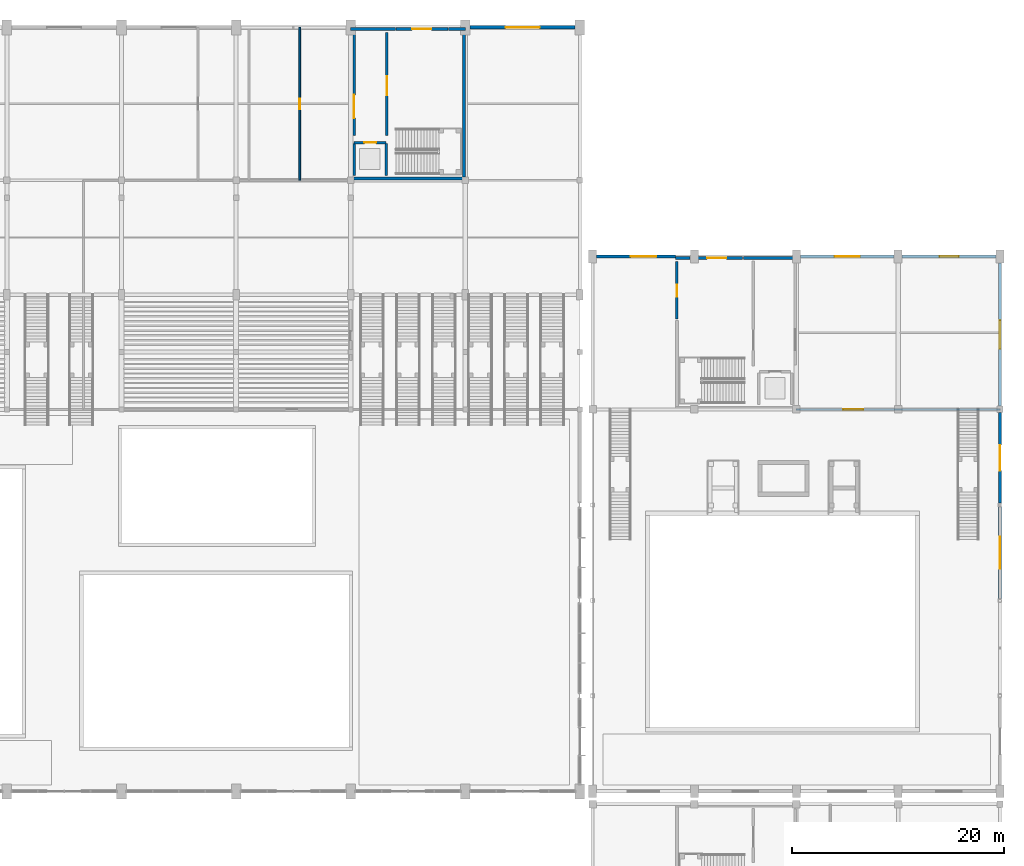
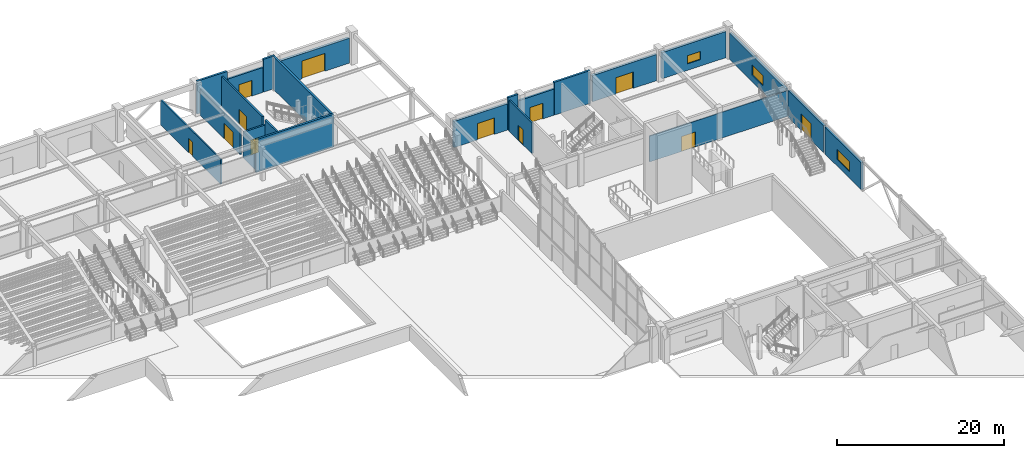
# One storey, part 60 of 82: 23 walls, 12 doors, 3 windows, 15 openings.
"""IFC4 building model written with IfcOpenShell, lengths in metres."""

from ifc_helpers import new_model, si_unit, direction, frame, frame_2d, origin, place, context, subcontext, project, spatial, rectangle, extrude, material, layer, layer_set, type_object, element, fill, save


model = new_model("IFC4")

# Units and contexts
model_context = context("Model", 3, precision=1e-05, world=origin(), true_north=direction((0.0, 1.0)))
body_context = subcontext(model_context, "Body", "Model", "MODEL_VIEW")
ifc_project = project(units=[si_unit("LENGTHUNIT", "METRE"), si_unit("AREAUNIT", "SQUARE_METRE"), si_unit("VOLUMEUNIT", "CUBIC_METRE"), si_unit("PLANEANGLEUNIT", "RADIAN"), si_unit("MASSUNIT", "GRAM", prefix="KILO")], contexts=[model_context])

# Site, building, storey
site_placement = place(None, origin())
site = spatial("IfcSite", under=ifc_project, at=site_placement, CompositionType="ELEMENT")
building_placement = place(site_placement, origin())
building = spatial("IfcBuilding", under=site, at=building_placement, Name="Suirenkawa Promenade Aquatics Centre", CompositionType="ELEMENT")
storey_placement = place(building_placement, origin())
storey = spatial("IfcBuildingStorey", under=building, at=storey_placement, Name="L00", CompositionType="ELEMENT", Elevation=0.0)

# Walls
ifc_material_1 = material(Name="Concrete M40", Category="concrete")
ifc_layer_1 = layer(ifc_material_1, 0.280029296875, Name="Concrete M40", Category="concrete")
ifc_layer_set_1 = layer_set([ifc_layer_1], Name="Concrete M40")
wall_type_1 = type_object("IfcWallType", Name="WT-CORE-280", PredefinedType="SHEAR", material=ifc_layer_set_1)
wall_1_placement = place(storey_placement, frame((133.199951171875, 108.139892578125, 0.0), z_axis=(0.0, 0.0, 1.0), x_axis=(1.0, 0.0, 0.0)))
element("IfcWall", 1, at=wall_1_placement, inside=storey, type_object=wall_type_1, Name="C4 south core wall WL-CORE-02 W-0126", PredefinedType="SHEAR", context=body_context, shape_type="SweptSolid", body=[
    extrude(rectangle(XDim=10.800048828125, YDim=0.280029296875, at=frame_2d((5.39990234375, 0.0))), origin(), (0.0, 0.0, 1.0), 4.800048828125),
])
wall_2_placement = place(storey_placement, frame((133.199951171875, 122.260009765625, 0.0), z_axis=(0.0, 0.0, 1.0), x_axis=(1.0, 0.0, 0.0)))
element("IfcWall", 2, at=wall_2_placement, inside=storey, type_object=wall_type_1, Name="C4 north-west core wall WL-CORE-02 W-0127", PredefinedType="SHEAR", context=body_context, shape_type="SweptSolid", body=[
    extrude(rectangle(XDim=4.199951171875, YDim=0.280029296875, at=frame_2d((2.10009765625, 0.0))), origin(), (0.0, 0.0, 1.0), 4.800048828125),
])
wall_3_placement = place(storey_placement, frame((142.39990234375, 122.260009765625, 0.0), z_axis=(0.0, 0.0, 1.0), x_axis=(1.0, 0.0, 0.0)))
element("IfcWall", 3, at=wall_3_placement, inside=storey, type_object=wall_type_1, Name="C4 north-east core wall WL-CORE-02 W-0128", PredefinedType="SHEAR", context=body_context, shape_type="SweptSolid", body=[
    extrude(rectangle(XDim=1.60009765625, YDim=0.280029296875, at=frame_2d((0.800048828125, 0.0))), origin(), (0.0, 0.0, 1.0), 4.800048828125),
])
wall_4_placement = place(storey_placement, frame((143.860107421875, 108.280029296875, 0.0), z_axis=(0.0, 0.0, 1.0), x_axis=(0.0, 1.0, 0.0)))
element("IfcWall", 4, at=wall_4_placement, inside=storey, type_object=wall_type_1, Name="C4 east core wall WL-CORE-02 W-0129", PredefinedType="SHEAR", context=body_context, shape_type="SweptSolid", body=[
    extrude(rectangle(XDim=13.840087890625, YDim=0.280029296875, at=frame_2d((6.919921875, 0.0))), origin(), (0.0, 0.0, 1.0), 4.800048828125),
])
wall_5_placement = place(storey_placement, frame((163.800048828125, 100.659912109375, 0.0), z_axis=(0.0, 0.0, 1.0), x_axis=(1.0, 0.0, 0.0)))
element("IfcWall", 5, at=wall_5_placement, inside=storey, type_object=wall_type_1, Name="C5 north-west core wall WL-CORE-02 W-0140", PredefinedType="SHEAR", context=body_context, shape_type="SweptSolid", body=[
    extrude(rectangle(XDim=1.39990234375, YDim=0.280029296875, at=frame_2d((0.699951171875, 0.0))), origin(), (0.0, 0.0, 1.0), 4.800048828125),
])
wall_6_placement = place(storey_placement, frame((170.199951171875, 100.659912109375, 0.0), z_axis=(0.0, 0.0, 1.0), x_axis=(1.0, 0.0, 0.0)))
element("IfcWall", 6, at=wall_6_placement, inside=storey, type_object=wall_type_1, Name="C5 north-east core wall WL-CORE-02 W-0141", PredefinedType="SHEAR", context=body_context, shape_type="SweptSolid", body=[
    extrude(rectangle(XDim=5.0, YDim=0.280029296875, at=frame_2d((2.5, 0.0))), origin(), (0.0, 0.0, 1.0), 4.800048828125),
])

# Wall, opening, door
ifc_layer_2 = layer(ifc_material_1, 0.27001953125, Name="Concrete M40", Category="concrete")
ifc_layer_set_2 = layer_set([ifc_layer_2], Name="Concrete M40")
wall_type_2 = type_object("IfcWallType", Name="WT-EXT-270", PredefinedType="SOLIDWALL", material=ifc_layer_set_2)
wall_7_placement = place(storey_placement, frame((137.449951171875, 122.239990234375, 0.0), z_axis=(0.0, 0.0, 1.0), x_axis=(1.0, 0.0, 0.0)))
wall_7 = element("IfcWall", 7, at=wall_7_placement, inside=storey, type_object=wall_type_2, Name="Exterior wall WL-EXT-04 W-5134", PredefinedType="SOLIDWALL", context=body_context, shape_type="SweptSolid", body=[
    extrude(rectangle(XDim=4.900146484375, YDim=0.27001953125, at=frame_2d((2.4501953125, 0.0))), origin(), (0.0, 0.0, 1.0), 3.655029296875),
])
opening_1_placement = place(wall_7_placement, frame((1.550048828125, 0.0, 0.0)))
opening_1 = element("IfcOpeningElement", 8, at=opening_1_placement, cuts=wall_7, Name="Opening ED-07", PredefinedType="OPENING", context=body_context, shape_type="SweptSolid", body=[
    extrude(rectangle(XDim=1.800048828125, YDim=2.300048828125, at=frame_2d((0.89990234375, 1.14990234375))), frame((0.0, 0.14501953125, 0.0), z_axis=(0.0, -1.0, 0.0), x_axis=(1.0, 0.0, 0.0)), (0.0, 0.0, 1.0), 0.2900390625),
])
ifc_material_2 = material(Name="Anodised aluminium 6063-T6", Category="aluminium")
door_type_1 = type_object("IfcDoorType", Name="DT-EXT-TERR-1800x2300", OperationType="DOUBLE_DOOR_SINGLE_SWING", PredefinedType="DOOR", material=ifc_material_2)
door_1_placement = place(opening_1_placement, origin())
door_1 = element("IfcDoor", 9, at=door_1_placement, inside=storey, type_object=door_type_1, Name="Exterior door ED-07 DR-EXT-056", OperationType="DOUBLE_DOOR_SINGLE_SWING", OverallHeight=2.300048828125, OverallWidth=1.800048828125, PredefinedType="DOOR", context=body_context, shape_type="SweptSolid", body=[
    extrude(rectangle(XDim=1.800048828125, YDim=2.300048828125, at=frame_2d((0.89990234375, 1.14990234375))), frame((0.0, 0.02490234375, 0.0), z_axis=(0.0, -1.0, 0.0), x_axis=(1.0, 0.0, 0.0)), (0.0, 0.0, 1.0), 0.050048828125),
])
fill(opening_1, door_1)

wall_8_placement = place(storey_placement, frame((165.25, 100.659912109375, 0.0), z_axis=(0.0, 0.0, 1.0), x_axis=(1.0, 0.0, 0.0)))
wall_8 = element("IfcWall", 10, at=wall_8_placement, inside=storey, type_object=wall_type_2, Name="Exterior wall WL-EXT-04 W-5135", PredefinedType="SOLIDWALL", context=body_context, shape_type="SweptSolid", body=[
    extrude(rectangle(XDim=4.89990234375, YDim=0.27001953125, at=frame_2d((2.449951171875, 0.0))), origin(), (0.0, 0.0, 1.0), 3.8349609375),
])
opening_2_placement = place(wall_8_placement, frame((1.550048828125, 0.0, 0.0)))
opening_2 = element("IfcOpeningElement", 11, at=opening_2_placement, cuts=wall_8, Name="Opening ED-07", PredefinedType="OPENING", context=body_context, shape_type="SweptSolid", body=[
    extrude(rectangle(XDim=1.800048828125, YDim=2.300048828125, at=frame_2d((0.89990234375, 1.14990234375))), frame((0.0, 0.14501953125, 0.0), z_axis=(0.0, -1.0, 0.0), x_axis=(1.0, 0.0, 0.0)), (0.0, 0.0, 1.0), 0.2900390625),
])
door_2_placement = place(opening_2_placement, origin())
door_2 = element("IfcDoor", 12, at=door_2_placement, inside=storey, type_object=door_type_1, Name="Exterior door ED-07 DR-EXT-057", OperationType="DOUBLE_DOOR_SINGLE_SWING", OverallHeight=2.300048828125, OverallWidth=1.800048828125, PredefinedType="DOOR", context=body_context, shape_type="SweptSolid", body=[
    extrude(rectangle(XDim=1.800048828125, YDim=2.300048828125, at=frame_2d((0.89990234375, 1.14990234375))), frame((0.0, 0.02490234375, 0.0), z_axis=(0.0, -1.0, 0.0), x_axis=(1.0, 0.0, 0.0)), (0.0, 0.0, 1.0), 0.050048828125),
])
fill(opening_2, door_2)

ifc_layer_3 = layer(ifc_material_1, 0.31005859375, Name="Concrete M40", Category="concrete")
ifc_layer_set_3 = layer_set([ifc_layer_3], Name="Concrete M40")
wall_type_3 = type_object("IfcWallType", Name="WT-EXT-310", PredefinedType="SOLIDWALL", material=ifc_layer_set_3)
wall_9_placement = place(storey_placement, frame((156.3798828125, 100.800048828125, 0.0), z_axis=(0.0, 0.0, 1.0), x_axis=(1.0, 0.0, 0.0)))
wall_9 = element("IfcWall", 13, at=wall_9_placement, inside=storey, type_object=wall_type_3, Name="Exterior wall WL-EXT-02 W-5027", PredefinedType="SOLIDWALL", context=body_context, shape_type="SweptSolid", body=[
    extrude(rectangle(XDim=7.4150390625, YDim=0.31005859375, at=frame_2d((3.70751953125, 0.0))), origin(), (0.0, 0.0, 1.0), 3.8349609375),
])
opening_3_placement = place(wall_9_placement, frame((3.219970703125, 0.0, 0.0)))
opening_3 = element("IfcOpeningElement", 14, at=opening_3_placement, cuts=wall_9, Name="Opening ED-04", PredefinedType="OPENING", context=body_context, shape_type="SweptSolid", body=[
    extrude(rectangle(XDim=2.39990234375, YDim=2.39990234375, at=frame_2d((1.199951171875, 1.199951171875))), frame((0.0, 0.1650390625, 0.0), z_axis=(0.0, -1.0, 0.0), x_axis=(1.0, 0.0, 0.0)), (0.0, 0.0, 1.0), 0.330078125),
])
door_type_2 = type_object("IfcDoorType", Name="DT-EXT-EXIT-2400x2400", OperationType="DOUBLE_DOOR_SINGLE_SWING", PredefinedType="DOOR", material=ifc_material_2)
door_3_placement = place(opening_3_placement, origin())
door_3 = element("IfcDoor", 15, at=door_3_placement, inside=storey, type_object=door_type_2, Name="Exterior door ED-04 DR-EXT-018", OperationType="DOUBLE_DOOR_SINGLE_SWING", OverallHeight=2.39990234375, OverallWidth=2.39990234375, PredefinedType="DOOR", context=body_context, shape_type="SweptSolid", body=[
    extrude(rectangle(XDim=2.39990234375, YDim=2.39990234375, at=frame_2d((1.199951171875, 1.199951171875))), frame((0.0, 0.02490234375, 0.0), z_axis=(0.0, -1.0, 0.0), x_axis=(1.0, 0.0, 0.0)), (0.0, 0.0, 1.0), 0.050048828125),
])
fill(opening_3, door_3)

wall_10_placement = place(storey_placement, frame((175.580078125, 100.800048828125, 0.0), z_axis=(0.0, 0.0, 1.0), x_axis=(1.0, 0.0, 0.0)))
wall_10 = element("IfcWall", 16, at=wall_10_placement, inside=storey, type_object=wall_type_3, Name="Exterior wall WL-EXT-02 W-5032", PredefinedType="SOLIDWALL", context=body_context, shape_type="SweptSolid", body=[
    extrude(rectangle(XDim=8.83984375, YDim=0.31005859375, at=frame_2d((4.419921875, 0.0))), origin(), (0.0, 0.0, 1.0), 3.8349609375),
])
opening_4_placement = place(wall_10_placement, frame((3.219970703125, 0.0, 0.0)))
opening_4 = element("IfcOpeningElement", 17, at=opening_4_placement, cuts=wall_10, Name="Opening ED-04", PredefinedType="OPENING", context=body_context, shape_type="SweptSolid", body=[
    extrude(rectangle(XDim=2.39990234375, YDim=2.39990234375, at=frame_2d((1.199951171875, 1.199951171875))), frame((0.0, 0.1650390625, 0.0), z_axis=(0.0, -1.0, 0.0), x_axis=(1.0, 0.0, 0.0)), (0.0, 0.0, 1.0), 0.330078125),
])
door_4_placement = place(opening_4_placement, origin())
door_4 = element("IfcDoor", 18, at=door_4_placement, inside=storey, type_object=door_type_2, Name="Exterior door ED-04 DR-EXT-020", OperationType="DOUBLE_DOOR_SINGLE_SWING", OverallHeight=2.39990234375, OverallWidth=2.39990234375, PredefinedType="DOOR", context=body_context, shape_type="SweptSolid", body=[
    extrude(rectangle(XDim=2.39990234375, YDim=2.39990234375, at=frame_2d((1.199951171875, 1.199951171875))), frame((0.0, 0.02490234375, 0.0), z_axis=(0.0, -1.0, 0.0), x_axis=(1.0, 0.0, 0.0)), (0.0, 0.0, 1.0), 0.050048828125),
])
fill(opening_4, door_4)

# Wall, opening, window
wall_11_placement = place(storey_placement, frame((185.179931640625, 100.800048828125, 0.0), z_axis=(0.0, 0.0, 1.0), x_axis=(1.0, 0.0, 0.0)))
wall_11 = element("IfcWall", 19, at=wall_11_placement, inside=storey, type_object=wall_type_3, Name="Exterior wall WL-EXT-02 W-5035", PredefinedType="SOLIDWALL", context=body_context, shape_type="SweptSolid", body=[
    extrude(rectangle(XDim=8.840087890625, YDim=0.31005859375, at=frame_2d((4.419921875, 0.0))), origin(), (0.0, 0.0, 1.0), 3.8349609375),
])
opening_5_placement = place(wall_11_placement, frame((3.52001953125, 0.0, 0.949951171875)))
opening_5 = element("IfcOpeningElement", 20, at=opening_5_placement, cuts=wall_11, Name="Opening WN-08", PredefinedType="OPENING", context=body_context, shape_type="SweptSolid", body=[
    extrude(rectangle(XDim=1.800048828125, YDim=1.199951171875, at=frame_2d((0.89990234375, 0.60009765625))), frame((0.0, 0.1650390625, 0.0), z_axis=(0.0, -1.0, 0.0), x_axis=(1.0, 0.0, 0.0)), (0.0, 0.0, 1.0), 0.330078125),
])
ifc_material_3 = material(Name="Low-E thermally broken double glazing", Category="glass")
window_type_1 = type_object("IfcWindowType", Name="WNT-CLER-1800x1200", PartitioningType="SINGLE_PANEL", PredefinedType="WINDOW", material=ifc_material_3)
window_1_placement = place(opening_5_placement, origin())
window_1 = element("IfcWindow", 21, at=window_1_placement, inside=storey, type_object=window_type_1, Name="Window WN-08 WN-0008", OverallHeight=1.199951171875, OverallWidth=1.800048828125, PartitioningType="SINGLE_PANEL", PredefinedType="WINDOW", context=body_context, shape_type="SweptSolid", body=[
    extrude(rectangle(XDim=1.800048828125, YDim=1.199951171875, at=frame_2d((0.89990234375, 0.60009765625))), frame((0.0, 0.030029296875, 0.0), z_axis=(0.0, -1.0, 0.0), x_axis=(1.0, 0.0, 0.0)), (0.0, 0.0, 1.0), 0.06005859375),
])
fill(opening_5, window_1)

wall_12_placement = place(storey_placement, frame((194.39990234375, 77.219970703125, 0.0), z_axis=(0.0, 0.0, 1.0), x_axis=(0.0, -1.0, 0.0)))
wall_12 = element("IfcWall", 22, at=wall_12_placement, inside=storey, type_object=wall_type_3, Name="Exterior wall WL-EXT-02 W-5037", PredefinedType="SOLIDWALL", context=body_context, shape_type="SweptSolid", body=[
    extrude(rectangle(XDim=8.639892578125, YDim=0.31005859375, at=frame_2d((4.31982421875, 0.0))), origin(), (0.0, 0.0, 1.0), 3.949951171875),
])
opening_6_placement = place(wall_12_placement, frame((2.820068359375, 0.0, 0.949951171875)))
opening_6 = element("IfcOpeningElement", 23, at=opening_6_placement, cuts=wall_12, Name="Opening WN-09", PredefinedType="OPENING", context=body_context, shape_type="SweptSolid", body=[
    extrude(rectangle(XDim=3.0, YDim=1.5, at=frame_2d((1.5, 0.75))), frame((0.0, 0.1650390625, 0.0), z_axis=(0.0, -1.0, 0.0), x_axis=(1.0, 0.0, 0.0)), (0.0, 0.0, 1.0), 0.330078125),
])
window_type_2 = type_object("IfcWindowType", Name="WNT-STD-3000x1500", PartitioningType="SINGLE_PANEL", PredefinedType="WINDOW", material=ifc_material_3)
window_2_placement = place(opening_6_placement, origin())
window_2 = element("IfcWindow", 24, at=window_2_placement, inside=storey, type_object=window_type_2, Name="Window WN-09 WN-0009", OverallHeight=1.5, OverallWidth=3.0, PartitioningType="SINGLE_PANEL", PredefinedType="WINDOW", context=body_context, shape_type="SweptSolid", body=[
    extrude(rectangle(XDim=3.0, YDim=1.5, at=frame_2d((1.5, 0.75))), frame((0.0, 0.030029296875, 0.0), z_axis=(0.0, -1.0, 0.0), x_axis=(1.0, 0.0, 0.0)), (0.0, 0.0, 1.0), 0.06005859375),
])
fill(opening_6, window_2)

# Wall, opening, door
wall_13_placement = place(storey_placement, frame((194.39990234375, 86.094970703125, 0.0), z_axis=(0.0, 0.0, 1.0), x_axis=(0.0, -1.0, 0.0)))
wall_13 = element("IfcWall", 25, at=wall_13_placement, inside=storey, type_object=wall_type_3, Name="Exterior wall WL-EXT-02 W-5038", PredefinedType="SOLIDWALL", context=body_context, shape_type="SweptSolid", body=[
    extrude(rectangle(XDim=8.514892578125, YDim=0.31005859375, at=frame_2d((4.25732421875, 0.0))), origin(), (0.0, 0.0, 1.0), 3.949951171875),
])
opening_7_placement = place(wall_13_placement, frame((3.05810546875, 0.0, 0.0)))
opening_7 = element("IfcOpeningElement", 26, at=opening_7_placement, cuts=wall_13, Name="Opening ED-04", PredefinedType="OPENING", context=body_context, shape_type="SweptSolid", body=[
    extrude(rectangle(XDim=2.39990234375, YDim=2.39990234375, at=frame_2d((1.199951171875, 1.199951171875))), frame((0.0, 0.1650390625, 0.0), z_axis=(0.0, -1.0, 0.0), x_axis=(1.0, 0.0, 0.0)), (0.0, 0.0, 1.0), 0.330078125),
])
door_5_placement = place(opening_7_placement, origin())
door_5 = element("IfcDoor", 27, at=door_5_placement, inside=storey, type_object=door_type_2, Name="Exterior door ED-04 DR-EXT-023", OperationType="DOUBLE_DOOR_SINGLE_SWING", OverallHeight=2.39990234375, OverallWidth=2.39990234375, PredefinedType="DOOR", context=body_context, shape_type="SweptSolid", body=[
    extrude(rectangle(XDim=2.39990234375, YDim=2.39990234375, at=frame_2d((1.199951171875, 1.199951171875))), frame((0.0, 0.02490234375, 0.0), z_axis=(0.0, -1.0, 0.0), x_axis=(1.0, 0.0, 0.0)), (0.0, 0.0, 1.0), 0.050048828125),
])
fill(opening_7, door_5)

# Wall, opening, window
wall_14_placement = place(storey_placement, frame((194.39990234375, 100.195068359375, 0.0), z_axis=(0.0, 0.0, 1.0), x_axis=(0.0, -1.0, 0.0)))
wall_14 = element("IfcWall", 28, at=wall_14_placement, inside=storey, type_object=wall_type_3, Name="Exterior wall WL-EXT-02 W-5039", PredefinedType="SOLIDWALL", context=body_context, shape_type="SweptSolid", body=[
    extrude(rectangle(XDim=13.489990234375, YDim=0.31005859375, at=frame_2d((6.7451171875, 0.0))), origin(), (0.0, 0.0, 1.0), 3.8349609375),
])
opening_8_placement = place(wall_14_placement, frame((5.39501953125, 0.0, 0.949951171875)))
opening_8 = element("IfcOpeningElement", 29, at=opening_8_placement, cuts=wall_14, Name="Opening WN-10", PredefinedType="OPENING", context=body_context, shape_type="SweptSolid", body=[
    extrude(rectangle(XDim=2.699951171875, YDim=1.5, at=frame_2d((1.35009765625, 0.75))), frame((0.0, 0.1650390625, 0.0), z_axis=(0.0, -1.0, 0.0), x_axis=(1.0, 0.0, 0.0)), (0.0, 0.0, 1.0), 0.330078125),
])
window_type_3 = type_object("IfcWindowType", Name="WNT-STD-2700x1500", PartitioningType="SINGLE_PANEL", PredefinedType="WINDOW", material=ifc_material_3)
window_3_placement = place(opening_8_placement, origin())
window_3 = element("IfcWindow", 30, at=window_3_placement, inside=storey, type_object=window_type_3, Name="Window WN-10 WN-0010", OverallHeight=1.5, OverallWidth=2.699951171875, PartitioningType="SINGLE_PANEL", PredefinedType="WINDOW", context=body_context, shape_type="SweptSolid", body=[
    extrude(rectangle(XDim=2.699951171875, YDim=1.5, at=frame_2d((1.35009765625, 0.75))), frame((0.0, 0.030029296875, 0.0), z_axis=(0.0, -1.0, 0.0), x_axis=(1.0, 0.0, 0.0)), (0.0, 0.0, 1.0), 0.06005859375),
])
fill(opening_8, window_3)

# Wall, opening, door
ifc_layer_4 = layer(ifc_material_1, 0.340087890625, Name="Concrete M40", Category="concrete")
ifc_layer_set_4 = layer_set([ifc_layer_4], Name="Concrete M40")
wall_type_4 = type_object("IfcWallType", Name="WT-EXT-340", PredefinedType="SOLIDWALL", material=ifc_layer_set_4)
wall_15_placement = place(storey_placement, frame((144.455078125, 122.39990234375, 0.0), z_axis=(0.0, 0.0, 1.0), x_axis=(1.0, 0.0, 0.0)))
wall_15 = element("IfcWall", 31, at=wall_15_placement, inside=storey, type_object=wall_type_4, Name="Exterior wall WL-EXT-01 W-5016", PredefinedType="SOLIDWALL", context=body_context, shape_type="SweptSolid", body=[
    extrude(rectangle(XDim=9.889892578125, YDim=0.340087890625, at=frame_2d((4.94482421875, 0.0))), origin(), (0.0, 0.0, 1.0), 3.655029296875),
])
opening_9_placement = place(wall_15_placement, frame((3.344970703125, 0.0, 0.0)))
opening_9 = element("IfcOpeningElement", 32, at=opening_9_placement, cuts=wall_15, Name="Opening ED-02", PredefinedType="OPENING", context=body_context, shape_type="SweptSolid", body=[
    extrude(rectangle(XDim=3.199951171875, YDim=2.60009765625, at=frame_2d((1.60009765625, 1.300048828125))), frame((0.0, 0.179931640625, 0.0), z_axis=(0.0, -1.0, 0.0), x_axis=(1.0, 0.0, 0.0)), (0.0, 0.0, 1.0), 0.360107421875),
])
door_type_3 = type_object("IfcDoorType", Name="DT-EXT-CONC-3200x2600", OperationType="DOUBLE_DOOR_SINGLE_SWING", PredefinedType="DOOR", material=ifc_material_2)
door_6_placement = place(opening_9_placement, origin())
door_6 = element("IfcDoor", 33, at=door_6_placement, inside=storey, type_object=door_type_3, Name="Exterior door ED-02 DR-EXT-013", OperationType="DOUBLE_DOOR_SINGLE_SWING", OverallHeight=2.60009765625, OverallWidth=3.199951171875, PredefinedType="DOOR", context=body_context, shape_type="SweptSolid", body=[
    extrude(rectangle(XDim=3.199951171875, YDim=2.60009765625, at=frame_2d((1.60009765625, 1.300048828125))), frame((0.0, 0.02490234375, 0.0), z_axis=(0.0, -1.0, 0.0), x_axis=(1.0, 0.0, 0.0)), (0.0, 0.0, 1.0), 0.050048828125),
])
fill(opening_9, door_6)

ifc_material_4 = material(Name="Autoclaved aerated concrete blockwork Grade 1", Category="masonry")
ifc_layer_5 = layer(ifc_material_4, 0.179931640625, Name="Autoclaved aerated concrete blockwork Grade 1", Category="masonry")
ifc_layer_set_5 = layer_set([ifc_layer_5], Name="Autoclaved aerated concrete blockwork Grade 1")
wall_type_5 = type_object("IfcWallType", Name="WT-FIRE-180", PredefinedType="PARTITIONING", material=ifc_layer_set_5)
wall_16_placement = place(storey_placement, frame((128.39990234375, 108.0, 0.0), z_axis=(0.0, 0.0, 1.0), x_axis=(0.0, 1.0, 0.0)))
wall_16 = element("IfcWall", 34, at=wall_16_placement, inside=storey, type_object=wall_type_5, Name="Interior wall WL-PRT-02 W-7323", PredefinedType="PARTITIONING", context=body_context, shape_type="SweptSolid", body=[
    extrude(rectangle(XDim=14.39990234375, YDim=0.179931640625, at=frame_2d((7.199951171875, 0.0))), origin(), (0.0, 0.0, 1.0), 3.655029296875),
])
opening_10_placement = place(wall_16_placement, frame((6.699951171875, 0.0, 0.0)))
opening_10 = element("IfcOpeningElement", 35, at=opening_10_placement, cuts=wall_16, Name="Opening ID-07", PredefinedType="OPENING", context=body_context, shape_type="SweptSolid", body=[
    extrude(rectangle(XDim=1.0, YDim=2.10009765625, at=frame_2d((0.5, 1.050048828125))), frame((0.0, 0.099853515625, 0.0), z_axis=(0.0, -1.0, 0.0), x_axis=(1.0, 0.0, 0.0)), (0.0, 0.0, 1.0), 0.199951171875),
])
ifc_material_5 = material(Name="Engineered maple acoustic sports timber", Category="wood")
door_type_4 = type_object("IfcDoorType", Name="DT-FD60-1000x2100", OperationType="NOTDEFINED", PredefinedType="DOOR", material=ifc_material_5)
door_7_placement = place(opening_10_placement, origin())
door_7 = element("IfcDoor", 36, at=door_7_placement, inside=storey, type_object=door_type_4, Name="Interior door ID-07 DR-INT-0188", OperationType="SINGLE_SWING_LEFT", OverallHeight=2.10009765625, OverallWidth=1.0, PredefinedType="DOOR", context=body_context, shape_type="SweptSolid", body=[
    extrude(rectangle(XDim=1.0, YDim=2.10009765625, at=frame_2d((0.5, 1.050048828125))), frame((0.0, 0.02490234375, 0.0), z_axis=(0.0, -1.0, 0.0), x_axis=(1.0, 0.0, 0.0)), (0.0, 0.0, 1.0), 0.050048828125),
])
fill(opening_10, door_7)

ifc_material_6 = material(Name="Concrete M35", Category="concrete")
ifc_layer_6 = layer(ifc_material_6, 0.219970703125, Name="Concrete M35", Category="concrete")
ifc_layer_set_6 = layer_set([ifc_layer_6], Name="Concrete M35")
wall_type_6 = type_object("IfcWallType", Name="WT-LOBBY-220", PredefinedType="PARTITIONING", material=ifc_layer_set_6)
wall_17_placement = place(storey_placement, frame((136.60009765625, 112.199951171875, 0.0), z_axis=(0.0, 0.0, 1.0), x_axis=(0.0, 1.0, 0.0)))
wall_17 = element("IfcWall", 37, at=wall_17_placement, inside=storey, type_object=wall_type_6, Name="Interior wall WL-LOB-01 W-7092", PredefinedType="PARTITIONING", context=body_context, shape_type="SweptSolid", body=[
    extrude(rectangle(XDim=9.699951171875, YDim=0.219970703125, at=frame_2d((4.85009765625, 0.0))), origin(), (0.0, 0.0, 1.0), 4.5048828125),
])
opening_11_placement = place(wall_17_placement, frame((3.800048828125, 0.0, 0.0)))
opening_11 = element("IfcOpeningElement", 38, at=opening_11_placement, cuts=wall_17, Name="Opening ID-02", PredefinedType="OPENING", context=body_context, shape_type="SweptSolid", body=[
    extrude(rectangle(XDim=1.800048828125, YDim=2.199951171875, at=frame_2d((0.89990234375, 1.10009765625))), frame((0.0, 0.119873046875, 0.0), z_axis=(0.0, -1.0, 0.0), x_axis=(1.0, 0.0, 0.0)), (0.0, 0.0, 1.0), 0.239990234375),
])
ifc_material_7 = material(Name="Steel IS 2062 E350 (Grade 350)", Category="steel")
door_type_5 = type_object("IfcDoorType", Name="DT-FD120-1800x2200", OperationType="DOUBLE_DOOR_SINGLE_SWING", PredefinedType="DOOR", material=ifc_material_7)
door_8_placement = place(opening_11_placement, origin())
door_8 = element("IfcDoor", 39, at=door_8_placement, inside=storey, type_object=door_type_5, Name="Interior door ID-02 DR-INT-0060", OperationType="DOUBLE_DOOR_SINGLE_SWING", OverallHeight=2.199951171875, OverallWidth=1.800048828125, PredefinedType="DOOR", context=body_context, shape_type="SweptSolid", body=[
    extrude(rectangle(XDim=1.800048828125, YDim=2.199951171875, at=frame_2d((0.89990234375, 1.10009765625))), frame((0.0, 0.02490234375, 0.0), z_axis=(0.0, -1.0, 0.0), x_axis=(1.0, 0.0, 0.0)), (0.0, 0.0, 1.0), 0.050048828125),
])
fill(opening_11, door_8)

wall_18_placement = place(storey_placement, frame((133.530029296875, 112.199951171875, 0.0), z_axis=(0.0, 0.0, 1.0), x_axis=(0.0, 1.0, 0.0)))
wall_18 = element("IfcWall", 40, at=wall_18_placement, inside=storey, type_object=wall_type_6, Name="Interior wall WL-LOB-01 W-7096", PredefinedType="PARTITIONING", context=body_context, shape_type="SweptSolid", body=[
    extrude(rectangle(XDim=9.60009765625, YDim=0.219970703125, at=frame_2d((4.800048828125, 0.0))), origin(), (0.0, 0.0, 1.0), 3.7548828125),
])
opening_12_placement = place(wall_18_placement, frame((1.64990234375, 0.0, 0.0)))
opening_12 = element("IfcOpeningElement", 41, at=opening_12_placement, cuts=wall_18, Name="Opening DR-FD120", PredefinedType="OPENING", context=body_context, shape_type="SweptSolid", body=[
    extrude(rectangle(XDim=2.199951171875, YDim=2.300048828125, at=frame_2d((1.10009765625, 1.14990234375))), frame((0.0, 0.119873046875, 0.0), z_axis=(0.0, -1.0, 0.0), x_axis=(1.0, 0.0, 0.0)), (0.0, 0.0, 1.0), 0.239990234375),
])
door_type_6 = type_object("IfcDoorType", Name="DT-FD120-2200x2300", OperationType="DOUBLE_DOOR_SINGLE_SWING", PredefinedType="DOOR", material=ifc_material_7)
door_9_placement = place(opening_12_placement, origin())
door_9 = element("IfcDoor", 42, at=door_9_placement, inside=storey, type_object=door_type_6, Name="Interior door DR-FD120 DR-INT-0062", OperationType="DOUBLE_DOOR_SINGLE_SWING", OverallHeight=2.300048828125, OverallWidth=2.199951171875, PredefinedType="DOOR", context=body_context, shape_type="SweptSolid", body=[
    extrude(rectangle(XDim=2.199951171875, YDim=2.300048828125, at=frame_2d((1.10009765625, 1.14990234375))), frame((0.0, 0.02490234375, 0.0), z_axis=(0.0, -1.0, 0.0), x_axis=(1.0, 0.0, 0.0)), (0.0, 0.0, 1.0), 0.050048828125),
])
fill(opening_12, door_9)

wall_19_placement = place(storey_placement, frame((163.93994140625, 94.89990234375, 0.0), z_axis=(0.0, 0.0, 1.0), x_axis=(0.0, 1.0, 0.0)))
wall_19 = element("IfcWall", 43, at=wall_19_placement, inside=storey, type_object=wall_type_6, Name="Interior wall WL-LOB-01 W-7112", PredefinedType="PARTITIONING", context=body_context, shape_type="SweptSolid", body=[
    extrude(rectangle(XDim=5.4501953125, YDim=0.219970703125, at=frame_2d((2.72509765625, 0.0))), origin(), (0.0, 0.0, 1.0), 4.5048828125),
])
opening_13_placement = place(wall_19_placement, frame((2.10009765625, 0.0, 0.0)))
opening_13 = element("IfcOpeningElement", 44, at=opening_13_placement, cuts=wall_19, Name="Opening ID-03", PredefinedType="OPENING", context=body_context, shape_type="SweptSolid", body=[
    extrude(rectangle(XDim=1.14990234375, YDim=2.199951171875, at=frame_2d((0.574951171875, 1.10009765625))), frame((0.0, 0.119873046875, 0.0), z_axis=(0.0, -1.0, 0.0), x_axis=(1.0, 0.0, 0.0)), (0.0, 0.0, 1.0), 0.239990234375),
])
door_type_7 = type_object("IfcDoorType", Name="DT-FD120-1150x2200", OperationType="NOTDEFINED", PredefinedType="DOOR", material=ifc_material_7)
door_10_placement = place(opening_13_placement, origin())
door_10 = element("IfcDoor", 45, at=door_10_placement, inside=storey, type_object=door_type_7, Name="Interior door ID-03 DR-INT-0072", OperationType="SINGLE_SWING_RIGHT", OverallHeight=2.199951171875, OverallWidth=1.14990234375, PredefinedType="DOOR", context=body_context, shape_type="SweptSolid", body=[
    extrude(rectangle(XDim=1.14990234375, YDim=2.199951171875, at=frame_2d((0.574951171875, 1.10009765625))), frame((0.0, 0.02490234375, 0.0), z_axis=(0.0, -1.0, 0.0), x_axis=(1.0, 0.0, 0.0)), (0.0, 0.0, 1.0), 0.050048828125),
])
fill(opening_13, door_10)

ifc_layer_7 = layer(ifc_material_1, 0.239990234375, Name="Concrete M40", Category="concrete")
ifc_layer_set_7 = layer_set([ifc_layer_7], Name="Concrete M40")
wall_type_7 = type_object("IfcWallType", Name="WT-SHAFT-240", PredefinedType="SOLIDWALL", material=ifc_layer_set_7)
wall_20_placement = place(storey_placement, frame((133.530029296875, 111.550048828125, 0.0), z_axis=(0.0, 0.0, 1.0), x_axis=(1.0, 0.0, 0.0)))
wall_20 = element("IfcWall", 46, at=wall_20_placement, inside=storey, type_object=wall_type_7, Name="Interior wall WL-SHF-01 W-7093", PredefinedType="SOLIDWALL", context=body_context, shape_type="SweptSolid", body=[
    extrude(rectangle(XDim=3.02001953125, YDim=0.239990234375, at=frame_2d((1.510009765625, 0.0))), origin(), (0.0, 0.0, 1.0), 3.7548828125),
])
opening_14_placement = place(wall_20_placement, frame((0.9599609375, 0.0, 0.0)))
opening_14 = element("IfcOpeningElement", 47, at=opening_14_placement, cuts=wall_20, Name="Opening LD-01", PredefinedType="OPENING", context=body_context, shape_type="SweptSolid", body=[
    extrude(rectangle(XDim=1.10009765625, YDim=2.14990234375, at=frame_2d((0.550048828125, 1.074951171875))), frame((0.0, 0.1298828125, 0.0), z_axis=(0.0, -1.0, 0.0), x_axis=(1.0, 0.0, 0.0)), (0.0, 0.0, 1.0), 0.260009765625),
])
ifc_material_8 = material(Name="Marine-grade stainless steel Grade 316L", Category="steel")
door_type_8 = type_object("IfcDoorType", Name="DT-LIFT-1100x2150", OperationType="DOUBLE_DOOR_SLIDING", PredefinedType="DOOR", material=ifc_material_8)
door_11_placement = place(opening_14_placement, origin())
door_11 = element("IfcDoor", 48, at=door_11_placement, inside=storey, type_object=door_type_8, Name="Landing door LD-01 DR-INT-0061", OperationType="DOUBLE_DOOR_SLIDING", OverallHeight=2.14990234375, OverallWidth=1.10009765625, PredefinedType="DOOR", context=body_context, shape_type="SweptSolid", body=[
    extrude(rectangle(XDim=1.10009765625, YDim=2.14990234375, at=frame_2d((0.550048828125, 1.074951171875))), frame((0.0, 0.02490234375, 0.0), z_axis=(0.0, -1.0, 0.0), x_axis=(1.0, 0.0, 0.0)), (0.0, 0.0, 1.0), 0.050048828125),
])
fill(opening_14, door_11)

# Walls
wall_21_placement = place(storey_placement, frame((136.550048828125, 108.449951171875, 0.0), z_axis=(0.0, 0.0, 1.0), x_axis=(0.0, 1.0, 0.0)))
element("IfcWall", 49, at=wall_21_placement, inside=storey, type_object=wall_type_7, Name="Interior wall WL-SHF-01 W-7094", PredefinedType="SOLIDWALL", context=body_context, shape_type="SweptSolid", body=[
    extrude(rectangle(XDim=3.0, YDim=0.239990234375, at=frame_2d((1.5, 0.0))), origin(), (0.0, 0.0, 1.0), 4.5048828125),
])
wall_22_placement = place(storey_placement, frame((133.530029296875, 108.449951171875, 0.0), z_axis=(0.0, 0.0, 1.0), x_axis=(0.0, 1.0, 0.0)))
element("IfcWall", 50, at=wall_22_placement, inside=storey, type_object=wall_type_7, Name="Interior wall WL-SHF-01 W-7095", PredefinedType="SOLIDWALL", context=body_context, shape_type="SweptSolid", body=[
    extrude(rectangle(XDim=3.0, YDim=0.239990234375, at=frame_2d((1.5, 0.0))), origin(), (0.0, 0.0, 1.0), 3.7548828125),
])

# Wall, opening, door
ifc_layer_8 = layer(ifc_material_4, 0.159912109375, Name="Autoclaved aerated concrete blockwork Grade 1", Category="masonry")
ifc_layer_set_8 = layer_set([ifc_layer_8], Name="Autoclaved aerated concrete blockwork Grade 1")
wall_type_8 = type_object("IfcWallType", Name="WT-WET-160", PredefinedType="PARTITIONING", material=ifc_layer_set_8)
wall_23_placement = place(storey_placement, frame((175.199951171875, 86.39990234375, 0.0), z_axis=(0.0, 0.0, 1.0), x_axis=(1.0, 0.0, 0.0)))
wall_23 = element("IfcWall", 51, at=wall_23_placement, inside=storey, type_object=wall_type_8, Name="Interior wall WL-PRT-03 W-7335", PredefinedType="PARTITIONING", context=body_context, shape_type="SweptSolid", body=[
    extrude(rectangle(XDim=19.199951171875, YDim=0.159912109375, at=frame_2d((9.60009765625, 0.0))), origin(), (0.0, 0.0, 1.0), 3.784912109375),
])
opening_15_placement = place(wall_23_placement, frame((4.426025390625, 0.0, 0.0)))
opening_15 = element("IfcOpeningElement", 52, at=opening_15_placement, cuts=wall_23, Name="Opening DR-FD60", PredefinedType="OPENING", context=body_context, shape_type="SweptSolid", body=[
    extrude(rectangle(XDim=1.89990234375, YDim=2.199951171875, at=frame_2d((0.949951171875, 1.10009765625))), frame((0.0, 0.08984375, 0.0), z_axis=(0.0, -1.0, 0.0), x_axis=(1.0, 0.0, 0.0)), (0.0, 0.0, 1.0), 0.179931640625),
])
door_type_9 = type_object("IfcDoorType", Name="DT-FD60-1900x2200", OperationType="DOUBLE_DOOR_SINGLE_SWING", PredefinedType="DOOR", material=ifc_material_5)
door_12_placement = place(opening_15_placement, origin())
door_12 = element("IfcDoor", 53, at=door_12_placement, inside=storey, type_object=door_type_9, Name="Interior door DR-FD60 DR-INT-0197", OperationType="DOUBLE_DOOR_SINGLE_SWING", OverallHeight=2.199951171875, OverallWidth=1.89990234375, PredefinedType="DOOR", context=body_context, shape_type="SweptSolid", body=[
    extrude(rectangle(XDim=1.89990234375, YDim=2.199951171875, at=frame_2d((0.949951171875, 1.10009765625))), frame((0.0, 0.02490234375, 0.0), z_axis=(0.0, -1.0, 0.0), x_axis=(1.0, 0.0, 0.0)), (0.0, 0.0, 1.0), 0.050048828125),
])
fill(opening_15, door_12)

save(model, "model.ifc")
